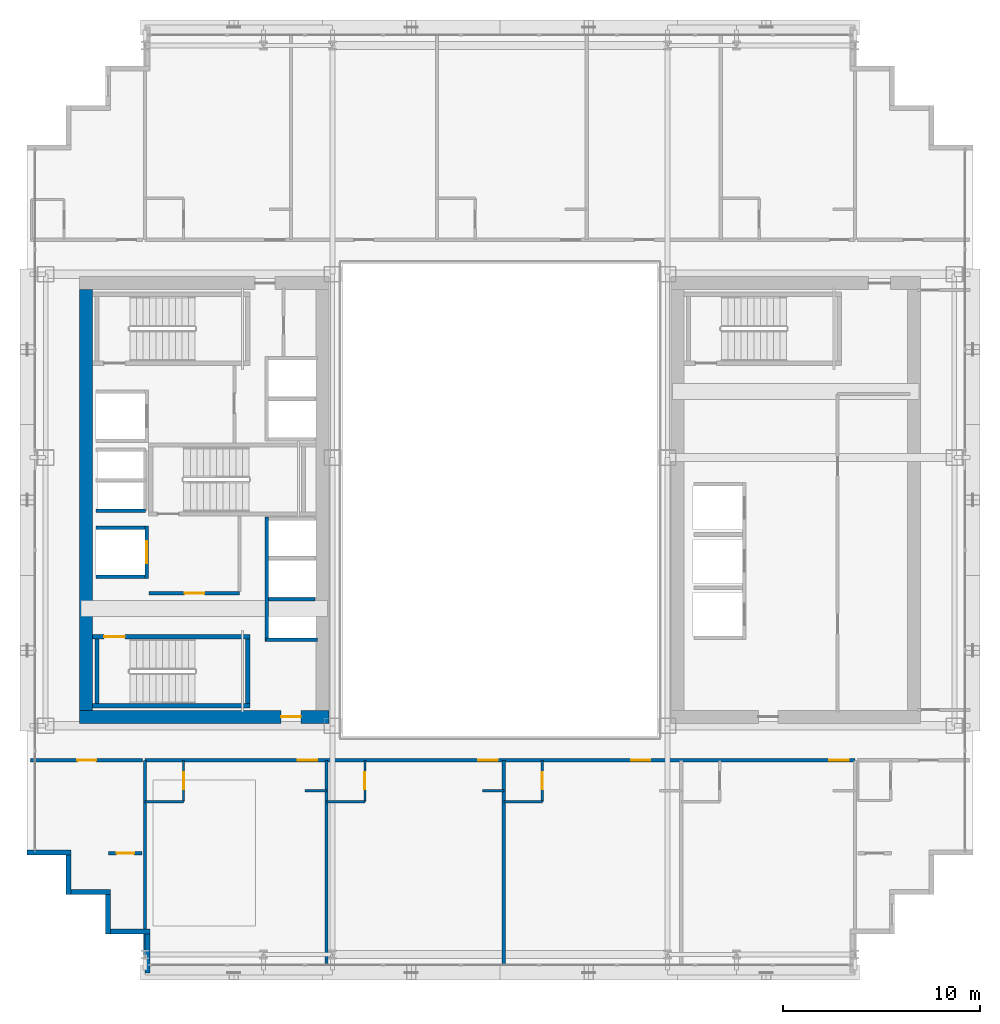
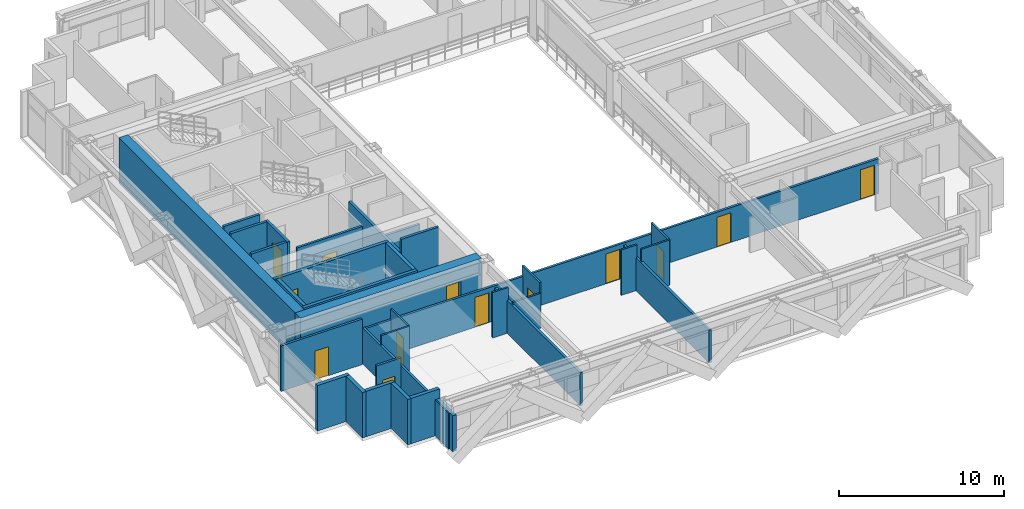
# One storey, part 27 of 34: 34 walls, 13 doors, 13 openings.
"""IFC4 building model written with IfcOpenShell, lengths in metres."""

from ifc_helpers import new_model, si_unit, direction, frame, frame_2d, origin, place, context, subcontext, project, spatial, rectangle, extrude, source, transform, mapped, material, layer, layer_set, type_object, element, fill, save


model = new_model("IFC4")

# Units and contexts
model_context = context("Model", 3, precision=1e-05, world=origin(), true_north=direction((0.0, 1.0)))
body_context = subcontext(model_context, "Body", "Model", "MODEL_VIEW")
ifc_project = project(units=[si_unit("LENGTHUNIT", "METRE"), si_unit("AREAUNIT", "SQUARE_METRE"), si_unit("VOLUMEUNIT", "CUBIC_METRE"), si_unit("PLANEANGLEUNIT", "RADIAN"), si_unit("MASSUNIT", "GRAM", prefix="KILO")], contexts=[model_context])

# Site, building, storey
site_placement = place(None, origin())
site = spatial("IfcSite", under=ifc_project, at=site_placement, CompositionType="ELEMENT")
building_placement = place(site_placement, origin())
building = spatial("IfcBuilding", under=site, at=building_placement, Name="Ocotamira Hotel", CompositionType="ELEMENT")
storey_placement = place(building_placement, frame((0.0, 0.0, 111.60009765625)))
storey = spatial("IfcBuildingStorey", under=building, at=storey_placement, Name="L27", CompositionType="ELEMENT", Elevation=111.60009765625)

# Wall, opening, door
ifc_material_1 = material(Name="Concrete C60/75", Category="concrete")
ifc_layer_1 = layer(ifc_material_1, 0.64990234375)
ifc_layer_set_1 = layer_set([ifc_layer_1], Name="Concrete C60/75")
wall_type_1 = type_object("IfcWallType", Name="WL-CORE-650", PredefinedType="SHEAR", material=ifc_layer_set_1)
wall_1_placement = place(storey_placement, frame((10.675048828125, 15.0, 0.0), z_axis=(0.0, 0.0, 1.0), x_axis=(1.0, 0.0, 0.0)))
wall_1 = element("IfcWall", 1, at=wall_1_placement, inside=storey, type_object=wall_type_1, Name="L27 Shear Core Wall WCORE-S", PredefinedType="SHEAR", context=body_context, shape_type="SweptSolid", body=[
    extrude(rectangle(XDim=12.64990234375, YDim=0.64990234375, at=frame_2d((6.324951171875, 0.0))), origin(), (0.0, 0.0, 1.0), 3.35986328125),
])
opening_1_placement = place(wall_1_placement, frame((10.22509765625, 0.0, 0.0)))
opening_1 = element("IfcOpeningElement", 2, at=opening_1_placement, cuts=wall_1, Name="Opening D-FR2", PredefinedType="OPENING", context=body_context, shape_type="SweptSolid", body=[
    extrude(rectangle(XDim=1.0, YDim=2.14990234375, at=frame_2d((0.5, 1.074951171875))), frame((0.0, 0.3349609375, 0.0), z_axis=(0.0, -1.0, 0.0), x_axis=(1.0, 0.0, 0.0)), (0.0, 0.0, 1.0), 0.669921875),
])
ifc_material_2 = material(Name="Fire-rated acoustic timber-veneer door", Category="wood")
door_type_1 = type_object("IfcDoorType", Name="DR-FIRE-1000", OperationType="NOTDEFINED", PredefinedType="DOOR", material=ifc_material_2)
shared_shape_1 = source(origin(), body_context, "Body", "SweptSolid", [
    extrude(rectangle(XDim=1.0, YDim=2.14990234375, at=frame_2d((0.5, 1.074951171875))), frame((0.0, 0.02490234375, 0.0), z_axis=(0.0, -1.0, 0.0), x_axis=(1.0, 0.0, 0.0)), (0.0, 0.0, 1.0), 0.050048828125),
])
door_1_placement = place(opening_1_placement, origin())
door_1 = element("IfcDoor", 3, at=door_1_placement, inside=storey, type_object=door_type_1, Name="L27 Door ID-L27-WLOB-S-D [ID-L27-WLOB-S-D]", OperationType="SINGLE_SWING_LEFT", OverallHeight=2.14990234375, OverallWidth=1.0, PredefinedType="DOOR", context=body_context, shape_type="MappedRepresentation", body=[
    mapped(shared_shape_1, transform((0.0, 0.0, 0.0), scale=1.0)),
])
fill(opening_1, door_1)

# Walls
wall_2_placement = place(storey_placement, frame((11.0, 15.324951171875, 0.0), z_axis=(0.0, 0.0, 1.0), x_axis=(0.0, 1.0, 0.0)))
element("IfcWall", 4, at=wall_2_placement, inside=storey, type_object=wall_type_1, Name="L27 Shear Core Wall WCORE-W", PredefinedType="SHEAR", context=body_context, shape_type="SweptSolid", body=[
    extrude(rectangle(XDim=21.35009765625, YDim=0.64990234375, at=frame_2d((10.675048828125, 0.0))), origin(), (0.0, 0.0, 1.0), 3.35986328125),
])
ifc_material_3 = material(Name="Precast concrete C45/55", Category="concrete")
ifc_layer_2 = layer(ifc_material_3, 0.25)
ifc_layer_set_2 = layer_set([ifc_layer_2], Name="Precast concrete C45/55")
wall_type_2 = type_object("IfcWallType", Name="WL-EXT-SER-250", PredefinedType="SOLIDWALL", material=ifc_layer_set_2)
wall_3_placement = place(storey_placement, frame((8.0, 8.125, 0.0), z_axis=(0.0, 0.0, 1.0), x_axis=(1.0, 0.0, 0.0)))
element("IfcWall", 5, at=wall_3_placement, inside=storey, type_object=wall_type_2, Name="L27 Serrated Corner Wall 19", PredefinedType="SOLIDWALL", context=body_context, shape_type="SweptSolid", body=[
    extrude(rectangle(XDim=2.25, YDim=0.25, at=frame_2d((1.125, 0.0))), origin(), (0.0, 0.0, 1.0), 3.35986328125),
])
for number, where, z_axis, x_axis, name in (
    (6, (10.125, 8.0, 0.0), (0.0, 0.0, 1.0), (0.0, -1.0, 0.0), "L27 Serrated Corner Wall 20"),
    (7, (10.25, 6.125, 0.0), (0.0, 0.0, 1.0), (1.0, 0.0, 0.0), "L27 Serrated Corner Wall 21"),
    (8, (12.125, 6.0, 0.0), (0.0, 0.0, 1.0), (0.0, -1.0, 0.0), "L27 Serrated Corner Wall 22"),
    (9, (12.25, 4.125, 0.0), (0.0, 0.0, 1.0), (1.0, 0.0, 0.0), "L27 Serrated Corner Wall 23"),
):
    element("IfcWall", number, at=place(storey_placement, frame(where, z_axis=z_axis, x_axis=x_axis)), inside=storey, type_object=wall_type_2, Name=name, PredefinedType="SOLIDWALL", context=body_context, shape_type="SweptSolid", body=[
        extrude(rectangle(XDim=2.0, YDim=0.25, at=frame_2d((1.0, 0.0))), origin(), (0.0, 0.0, 1.0), 3.35986328125),
    ])
wall_4_placement = place(storey_placement, frame((14.125, 4.0, 0.0), z_axis=(0.0, 0.0, 1.0), x_axis=(0.0, -1.0, 0.0)))
element("IfcWall", 10, at=wall_4_placement, inside=storey, type_object=wall_type_2, Name="L27 Serrated Corner Wall 24", PredefinedType="SOLIDWALL", context=body_context, shape_type="SweptSolid", body=[
    extrude(rectangle(XDim=2.0, YDim=0.25, at=frame_2d((1.0, 0.0))), origin(), (0.0, 0.0, 1.0), 2.6669921875),
])

# Wall, opening, door
ifc_material_4 = material(Name="Acoustic double-layer fire gypsum board partition", Category="gypsum")
ifc_layer_3 = layer(ifc_material_4, 0.159912109375)
ifc_layer_set_3 = layer_set([ifc_layer_3], Name="Acoustic double-layer fire gypsum board partition")
wall_type_3 = type_object("IfcWallType", Name="WL-FIRE-160", PredefinedType="PARTITIONING", material=ifc_layer_set_3)
wall_5_placement = place(storey_placement, frame((14.199951171875, 21.27001953125, 0.0), z_axis=(0.0, 0.0, 1.0), x_axis=(1.0, 0.0, 0.0)))
wall_5 = element("IfcWall", 11, at=wall_5_placement, inside=storey, type_object=wall_type_3, Name="L27 Interior Wall PW-L27-FSAE1-S", PredefinedType="PARTITIONING", context=body_context, shape_type="SweptSolid", body=[
    extrude(rectangle(XDim=4.580078125, YDim=0.159912109375, at=frame_2d((2.2900390625, 0.0))), origin(), (0.0, 0.0, 1.0), 3.35986328125),
])
opening_2_placement = place(wall_5_placement, frame((1.800048828125, 0.0, 0.0)))
opening_2 = element("IfcOpeningElement", 12, at=opening_2_placement, cuts=wall_5, Name="Opening D-FR2", PredefinedType="OPENING", context=body_context, shape_type="SweptSolid", body=[
    extrude(rectangle(XDim=1.0, YDim=2.14990234375, at=frame_2d((0.5, 1.074951171875))), frame((0.0, 0.08984375, 0.0), z_axis=(0.0, -1.0, 0.0), x_axis=(1.0, 0.0, 0.0)), (0.0, 0.0, 1.0), 0.179931640625),
])
door_2_placement = place(opening_2_placement, origin())
door_2 = element("IfcDoor", 13, at=door_2_placement, inside=storey, type_object=door_type_1, Name="L27 Door ID-L27-FSAE1-D [ID-L27-FSAE1-D]", OperationType="SINGLE_SWING_LEFT", OverallHeight=2.14990234375, OverallWidth=1.0, PredefinedType="DOOR", context=body_context, shape_type="MappedRepresentation", body=[
    mapped(shared_shape_1, transform((0.0, 0.0, 0.0), scale=1.0)),
])
fill(opening_2, door_2)

wall_6_placement = place(storey_placement, frame((8.199951171875, 12.800048828125, 0.0), z_axis=(0.0, 0.0, 1.0), x_axis=(1.0, 0.0, 0.0)))
wall_6 = element("IfcWall", 14, at=wall_6_placement, inside=storey, type_object=wall_type_3, Name="L27 Interior Wall PW-L27-Z2B-CSW-CW", PredefinedType="PARTITIONING", context=body_context, shape_type="SweptSolid", body=[
    extrude(rectangle(XDim=5.679931640625, YDim=0.159912109375, at=frame_2d((2.83984375, 0.0))), origin(), (0.0, 0.0, 1.0), 3.35986328125),
])
opening_3_placement = place(wall_6_placement, frame((2.360107421875, 0.0, 0.0)))
opening_3 = element("IfcOpeningElement", 15, at=opening_3_placement, cuts=wall_6, Name="Opening D-SV4", PredefinedType="OPENING", context=body_context, shape_type="SweptSolid", body=[
    extrude(rectangle(XDim=0.9599609375, YDim=2.14990234375, at=frame_2d((0.47998046875, 1.074951171875))), frame((0.0, 0.08984375, 0.0), z_axis=(0.0, -1.0, 0.0), x_axis=(1.0, 0.0, 0.0)), (0.0, 0.0, 1.0), 0.179931640625),
])
ifc_material_5 = material(Name="Fire-rated accessible walnut salon door", Category="wood")
door_type_2 = type_object("IfcDoorType", Name="DR-SERV-960", OperationType="NOTDEFINED", PredefinedType="DOOR", material=ifc_material_5)
shared_shape_2 = source(origin(), body_context, "Body", "SweptSolid", [
    extrude(rectangle(XDim=0.9599609375, YDim=2.14990234375, at=frame_2d((0.47998046875, 1.074951171875))), frame((0.0, 0.02490234375, 0.0), z_axis=(0.0, -1.0, 0.0), x_axis=(1.0, 0.0, 0.0)), (0.0, 0.0, 1.0), 0.050048828125),
])
door_3_placement = place(opening_3_placement, origin())
door_3 = element("IfcDoor", 16, at=door_3_placement, inside=storey, type_object=door_type_2, Name="L27 Door ID-L27-Z2B-CSW-CD [ID-L27-Z2B-CSW-CD]", OperationType="SINGLE_SWING_LEFT", OverallHeight=2.14990234375, OverallWidth=0.9599609375, PredefinedType="DOOR", context=body_context, shape_type="MappedRepresentation", body=[
    mapped(shared_shape_2, transform((0.0, 0.0, 0.0), scale=1.0)),
])
fill(opening_3, door_3)

wall_7_placement = place(storey_placement, frame((12.14990234375, 8.080078125, 0.0), z_axis=(0.0, 0.0, 1.0), x_axis=(1.0, 0.0, 0.0)))
wall_7 = element("IfcWall", 17, at=wall_7_placement, inside=storey, type_object=wall_type_3, Name="L27 Interior Wall PW-L27-Z2B-CSW2-CW", PredefinedType="PARTITIONING", context=body_context, shape_type="SweptSolid", body=[
    extrude(rectangle(XDim=1.7001953125, YDim=0.159912109375, at=frame_2d((0.85009765625, 0.0))), origin(), (0.0, 0.0, 1.0), 3.35986328125),
])
opening_4_placement = place(wall_7_placement, frame((0.409912109375, 0.0, 0.0)))
opening_4 = element("IfcOpeningElement", 18, at=opening_4_placement, cuts=wall_7, Name="Opening D-SV2", PredefinedType="OPENING", context=body_context, shape_type="SweptSolid", body=[
    extrude(rectangle(XDim=0.8798828125, YDim=2.14990234375, at=frame_2d((0.43994140625, 1.074951171875))), frame((0.0, 0.08984375, 0.0), z_axis=(0.0, -1.0, 0.0), x_axis=(1.0, 0.0, 0.0)), (0.0, 0.0, 1.0), 0.179931640625),
])
ifc_material_6 = material(Name="Fire-rated painted steel service door", Category="steel")
door_type_3 = type_object("IfcDoorType", Name="DR-SERV-880", OperationType="NOTDEFINED", PredefinedType="DOOR", material=ifc_material_6)
shared_shape_3 = source(origin(), body_context, "Body", "SweptSolid", [
    extrude(rectangle(XDim=0.8798828125, YDim=2.14990234375, at=frame_2d((0.43994140625, 1.074951171875))), frame((0.0, 0.02490234375, 0.0), z_axis=(0.0, -1.0, 0.0), x_axis=(1.0, 0.0, 0.0)), (0.0, 0.0, 1.0), 0.050048828125),
])
door_4_placement = place(opening_4_placement, origin())
door_4 = element("IfcDoor", 19, at=door_4_placement, inside=storey, type_object=door_type_3, Name="L27 Door ID-L27-Z2B-CSW2-CD [ID-L27-Z2B-CSW2-CD]", OperationType="SINGLE_SWING_LEFT", OverallHeight=2.14990234375, OverallWidth=0.8798828125, PredefinedType="DOOR", context=body_context, shape_type="MappedRepresentation", body=[
    mapped(shared_shape_3, transform((0.0, 0.0, 0.0), scale=1.0)),
])
fill(opening_4, door_4)

# Wall, openings, doors
wall_8_placement = place(storey_placement, frame((14.0, 12.800048828125, 0.0), z_axis=(0.0, 0.0, 1.0), x_axis=(1.0, 0.0, 0.0)))
wall_8 = element("IfcWall", 20, at=wall_8_placement, inside=storey, type_object=wall_type_3, Name="L27 Interior Wall PW-L27-Z2BS-CORRW", PredefinedType="PARTITIONING", context=body_context, shape_type="SweptSolid", body=[
    extrude(rectangle(XDim=36.0, YDim=0.159912109375, at=frame_2d((18.0, 0.0))), origin(), (0.0, 0.0, 1.0), 2.580810546875),
])
opening_5_placement = place(wall_8_placement, frame((7.75, 0.0, 0.0)))
opening_5 = element("IfcOpeningElement", 21, at=opening_5_placement, cuts=wall_8, Name="Opening D-GR2", PredefinedType="OPENING", context=body_context, shape_type="SweptSolid", body=[
    extrude(rectangle(XDim=0.97998046875, YDim=2.199951171875, at=frame_2d((0.489990234375, 1.10009765625))), frame((0.0, 0.08984375, 0.0), z_axis=(0.0, -1.0, 0.0), x_axis=(1.0, 0.0, 0.0)), (0.0, 0.0, 1.0), 0.179931640625),
])
opening_6_placement = place(wall_8_placement, frame((16.89990234375, 0.0, 0.0)))
opening_6 = element("IfcOpeningElement", 22, at=opening_6_placement, cuts=wall_8, Name="Opening D-GR2", PredefinedType="OPENING", context=body_context, shape_type="SweptSolid", body=[
    extrude(rectangle(XDim=0.97998046875, YDim=2.199951171875, at=frame_2d((0.489990234375, 1.10009765625))), frame((0.0, 0.08984375, 0.0), z_axis=(0.0, -1.0, 0.0), x_axis=(1.0, 0.0, 0.0)), (0.0, 0.0, 1.0), 0.179931640625),
])
opening_7_placement = place(wall_8_placement, frame((24.64990234375, 0.0, 0.0)))
opening_7 = element("IfcOpeningElement", 23, at=opening_7_placement, cuts=wall_8, Name="Opening D-GR2", PredefinedType="OPENING", context=body_context, shape_type="SweptSolid", body=[
    extrude(rectangle(XDim=0.97998046875, YDim=2.199951171875, at=frame_2d((0.489990234375, 1.10009765625))), frame((0.0, 0.08984375, 0.0), z_axis=(0.0, -1.0, 0.0), x_axis=(1.0, 0.0, 0.0)), (0.0, 0.0, 1.0), 0.179931640625),
])
opening_8_placement = place(wall_8_placement, frame((34.699951171875, 0.0, 0.0)))
opening_8 = element("IfcOpeningElement", 24, at=opening_8_placement, cuts=wall_8, Name="Opening D-GR2", PredefinedType="OPENING", context=body_context, shape_type="SweptSolid", body=[
    extrude(rectangle(XDim=0.97998046875, YDim=2.199951171875, at=frame_2d((0.489990234375, 1.10009765625))), frame((0.0, 0.08984375, 0.0), z_axis=(0.0, -1.0, 0.0), x_axis=(1.0, 0.0, 0.0)), (0.0, 0.0, 1.0), 0.179931640625),
])
ifc_material_7 = material(Name="Solid-core walnut grand-suite entrance fire door", Category="wood")
door_type_4 = type_object("IfcDoorType", Name="DR-GUEST-980", OperationType="NOTDEFINED", PredefinedType="DOOR", material=ifc_material_7)
shared_shape_4 = source(origin(), body_context, "Body", "SweptSolid", [
    extrude(rectangle(XDim=0.97998046875, YDim=2.199951171875, at=frame_2d((0.489990234375, 1.10009765625))), frame((0.0, 0.02490234375, 0.0), z_axis=(0.0, -1.0, 0.0), x_axis=(1.0, 0.0, 0.0)), (0.0, 0.0, 1.0), 0.050048828125),
])
door_5_placement = place(opening_5_placement, origin())
door_5 = element("IfcDoor", 25, at=door_5_placement, inside=storey, type_object=door_type_4, Name="L27 Door ID-L27-Z2BS-RMD1 [ID-L27-Z2BS-RMD1]", OperationType="SINGLE_SWING_LEFT", OverallHeight=2.199951171875, OverallWidth=0.97998046875, PredefinedType="DOOR", context=body_context, shape_type="MappedRepresentation", body=[
    mapped(shared_shape_4, transform((0.0, 0.0, 0.0), scale=1.0)),
])
fill(opening_5, door_5)
door_6_placement = place(opening_6_placement, origin())
door_6 = element("IfcDoor", 26, at=door_6_placement, inside=storey, type_object=door_type_4, Name="L27 Door ID-L27-Z2BS-RMD2 [ID-L27-Z2BS-RMD2]", OperationType="SINGLE_SWING_RIGHT", OverallHeight=2.199951171875, OverallWidth=0.97998046875, PredefinedType="DOOR", context=body_context, shape_type="MappedRepresentation", body=[
    mapped(shared_shape_4, transform((0.0, 0.0, 0.0), scale=1.0)),
])
fill(opening_6, door_6)
door_7_placement = place(opening_7_placement, origin())
door_7 = element("IfcDoor", 27, at=door_7_placement, inside=storey, type_object=door_type_4, Name="L27 Door ID-L27-Z2BS-RMD3 [ID-L27-Z2BS-RMD3]", OperationType="SINGLE_SWING_LEFT", OverallHeight=2.199951171875, OverallWidth=0.97998046875, PredefinedType="DOOR", context=body_context, shape_type="MappedRepresentation", body=[
    mapped(shared_shape_4, transform((0.0, 0.0, 0.0), scale=1.0)),
])
fill(opening_7, door_7)
door_8_placement = place(opening_8_placement, origin())
door_8 = element("IfcDoor", 28, at=door_8_placement, inside=storey, type_object=door_type_4, Name="L27 Door ID-L27-Z2BS-RMD4 [ID-L27-Z2BS-RMD4]", OperationType="SINGLE_SWING_RIGHT", OverallHeight=2.199951171875, OverallWidth=0.97998046875, PredefinedType="DOOR", context=body_context, shape_type="MappedRepresentation", body=[
    mapped(shared_shape_4, transform((0.0, 0.0, 0.0), scale=1.0)),
])
fill(opening_8, door_8)

# Wall, opening, door
ifc_material_8 = material(Name="Moisture-resistant en-suite tile and gypsum partition", Category="gypsum")
ifc_layer_4 = layer(ifc_material_8, 0.1201171875)
ifc_layer_set_4 = layer_set([ifc_layer_4], Name="Moisture-resistant en-suite tile and gypsum partition")
wall_type_4 = type_object("IfcWallType", Name="WL-PART-120", PredefinedType="PARTITIONING", material=ifc_layer_set_4)
wall_9_placement = place(storey_placement, frame((15.949951171875, 10.699951171875, 0.0), z_axis=(0.0, 0.0, 1.0), x_axis=(0.0, 1.0, 0.0)))
wall_9 = element("IfcWall", 29, at=wall_9_placement, inside=storey, type_object=wall_type_4, Name="L27 Interior Wall PW-L27-Z2BS-BAE1", PredefinedType="PARTITIONING", context=body_context, shape_type="SweptSolid", body=[
    extrude(rectangle(XDim=2.10009765625, YDim=0.1201171875, at=frame_2d((1.050048828125, 0.0))), origin(), (0.0, 0.0, 1.0), 3.35986328125),
])
opening_9_placement = place(wall_9_placement, frame((0.6201171875, 0.0, 0.0)))
opening_9 = element("IfcOpeningElement", 30, at=opening_9_placement, cuts=wall_9, Name="Opening D-BA1", PredefinedType="OPENING", context=body_context, shape_type="SweptSolid", body=[
    extrude(rectangle(XDim=0.860107421875, YDim=2.10009765625, at=frame_2d((0.43017578125, 1.050048828125))), frame((0.0, 0.070068359375, 0.0), z_axis=(0.0, -1.0, 0.0), x_axis=(1.0, 0.0, 0.0)), (0.0, 0.0, 1.0), 0.14013671875),
])
ifc_material_9 = material(Name="Moisture-sealed en-suite timber door", Category="wood")
door_type_5 = type_object("IfcDoorType", Name="DR-BATH-860", OperationType="NOTDEFINED", PredefinedType="DOOR", material=ifc_material_9)
shared_shape_5 = source(origin(), body_context, "Body", "SweptSolid", [
    extrude(rectangle(XDim=0.860107421875, YDim=2.10009765625, at=frame_2d((0.43017578125, 1.050048828125))), frame((0.0, 0.02490234375, 0.0), z_axis=(0.0, -1.0, 0.0), x_axis=(1.0, 0.0, 0.0)), (0.0, 0.0, 1.0), 0.050048828125),
])
door_9_placement = place(opening_9_placement, origin())
door_9 = element("IfcDoor", 31, at=door_9_placement, inside=storey, type_object=door_type_5, Name="L27 Door ID-L27-Z2BS-BAD1 [ID-L27-Z2BS-BAD1]", OperationType="SINGLE_SWING_RIGHT", OverallHeight=2.10009765625, OverallWidth=0.860107421875, PredefinedType="DOOR", context=body_context, shape_type="MappedRepresentation", body=[
    mapped(shared_shape_5, transform((0.0, 0.0, 0.0), scale=1.0)),
])
fill(opening_9, door_9)

# Walls
wall_10_placement = place(storey_placement, frame((14.0, 10.699951171875, 0.0), z_axis=(0.0, 0.0, 1.0), x_axis=(1.0, 0.0, 0.0)))
element("IfcWall", 32, at=wall_10_placement, inside=storey, type_object=wall_type_4, Name="L27 Interior Wall PW-L27-Z2BS-BAS1", PredefinedType="PARTITIONING", context=body_context, shape_type="SweptSolid", body=[
    extrude(rectangle(XDim=1.949951171875, YDim=0.1201171875, at=frame_2d((0.97509765625, 0.0))), origin(), (0.0, 0.0, 1.0), 3.35986328125),
])
wall_11_placement = place(storey_placement, frame((22.10009765625, 11.25, 0.0), z_axis=(0.0, 0.0, 1.0), x_axis=(1.0, 0.0, 0.0)))
element("IfcWall", 33, at=wall_11_placement, inside=storey, type_object=wall_type_4, Name="L27 Interior Wall PW-L27-Z2BS-DRN1", PredefinedType="PARTITIONING", context=body_context, shape_type="SweptSolid", body=[
    extrude(rectangle(XDim=1.099853515625, YDim=0.1201171875, at=frame_2d((0.5498046875, 0.0))), origin(), (0.0, 0.0, 1.0), 3.35986328125),
])

# Wall, opening, door
wall_12_placement = place(storey_placement, frame((25.14990234375, 10.699951171875, 0.0), z_axis=(0.0, 0.0, 1.0), x_axis=(0.0, 1.0, 0.0)))
wall_12 = element("IfcWall", 34, at=wall_12_placement, inside=storey, type_object=wall_type_4, Name="L27 Interior Wall PW-L27-Z2BS-BAE2", PredefinedType="PARTITIONING", context=body_context, shape_type="SweptSolid", body=[
    extrude(rectangle(XDim=2.10009765625, YDim=0.1201171875, at=frame_2d((1.050048828125, 0.0))), origin(), (0.0, 0.0, 1.0), 3.35986328125),
])
opening_10_placement = place(wall_12_placement, frame((0.6201171875, 0.0, 0.0)))
opening_10 = element("IfcOpeningElement", 35, at=opening_10_placement, cuts=wall_12, Name="Opening D-BA1", PredefinedType="OPENING", context=body_context, shape_type="SweptSolid", body=[
    extrude(rectangle(XDim=0.860107421875, YDim=2.10009765625, at=frame_2d((0.43017578125, 1.050048828125))), frame((0.0, 0.070068359375, 0.0), z_axis=(0.0, -1.0, 0.0), x_axis=(1.0, 0.0, 0.0)), (0.0, 0.0, 1.0), 0.14013671875),
])
door_10_placement = place(opening_10_placement, origin())
door_10 = element("IfcDoor", 36, at=door_10_placement, inside=storey, type_object=door_type_5, Name="L27 Door ID-L27-Z2BS-BAD2 [ID-L27-Z2BS-BAD2]", OperationType="SINGLE_SWING_LEFT", OverallHeight=2.10009765625, OverallWidth=0.860107421875, PredefinedType="DOOR", context=body_context, shape_type="MappedRepresentation", body=[
    mapped(shared_shape_5, transform((0.0, 0.0, 0.0), scale=1.0)),
])
fill(opening_10, door_10)

# Walls
wall_13_placement = place(storey_placement, frame((23.199951171875, 10.699951171875, 0.0), z_axis=(0.0, 0.0, 1.0), x_axis=(1.0, 0.0, 0.0)))
element("IfcWall", 37, at=wall_13_placement, inside=storey, type_object=wall_type_4, Name="L27 Interior Wall PW-L27-Z2BS-BAS2", PredefinedType="PARTITIONING", context=body_context, shape_type="SweptSolid", body=[
    extrude(rectangle(XDim=1.949951171875, YDim=0.1201171875, at=frame_2d((0.97509765625, 0.0))), origin(), (0.0, 0.0, 1.0), 2.580810546875),
])
wall_14_placement = place(storey_placement, frame((31.10009765625, 11.25, 0.0), z_axis=(0.0, 0.0, 1.0), x_axis=(1.0, 0.0, 0.0)))
element("IfcWall", 38, at=wall_14_placement, inside=storey, type_object=wall_type_4, Name="L27 Interior Wall PW-L27-Z2BS-DRN2", PredefinedType="PARTITIONING", context=body_context, shape_type="SweptSolid", body=[
    extrude(rectangle(XDim=1.099853515625, YDim=0.1201171875, at=frame_2d((0.5498046875, 0.0))), origin(), (0.0, 0.0, 1.0), 3.35986328125),
])

# Wall, opening, door
wall_15_placement = place(storey_placement, frame((34.14990234375, 10.699951171875, 0.0), z_axis=(0.0, 0.0, 1.0), x_axis=(0.0, 1.0, 0.0)))
wall_15 = element("IfcWall", 39, at=wall_15_placement, inside=storey, type_object=wall_type_4, Name="L27 Interior Wall PW-L27-Z2BS-BAE3", PredefinedType="PARTITIONING", context=body_context, shape_type="SweptSolid", body=[
    extrude(rectangle(XDim=2.10009765625, YDim=0.1201171875, at=frame_2d((1.050048828125, 0.0))), origin(), (0.0, 0.0, 1.0), 3.35986328125),
])
opening_11_placement = place(wall_15_placement, frame((0.6201171875, 0.0, 0.0)))
opening_11 = element("IfcOpeningElement", 40, at=opening_11_placement, cuts=wall_15, Name="Opening D-BA1", PredefinedType="OPENING", context=body_context, shape_type="SweptSolid", body=[
    extrude(rectangle(XDim=0.860107421875, YDim=2.10009765625, at=frame_2d((0.43017578125, 1.050048828125))), frame((0.0, 0.070068359375, 0.0), z_axis=(0.0, -1.0, 0.0), x_axis=(1.0, 0.0, 0.0)), (0.0, 0.0, 1.0), 0.14013671875),
])
door_11_placement = place(opening_11_placement, origin())
door_11 = element("IfcDoor", 41, at=door_11_placement, inside=storey, type_object=door_type_5, Name="L27 Door ID-L27-Z2BS-BAD3 [ID-L27-Z2BS-BAD3]", OperationType="SINGLE_SWING_RIGHT", OverallHeight=2.10009765625, OverallWidth=0.860107421875, PredefinedType="DOOR", context=body_context, shape_type="MappedRepresentation", body=[
    mapped(shared_shape_5, transform((0.0, 0.0, 0.0), scale=1.0)),
])
fill(opening_11, door_11)

# Walls
wall_16_placement = place(storey_placement, frame((32.199951171875, 10.699951171875, 0.0), z_axis=(0.0, 0.0, 1.0), x_axis=(1.0, 0.0, 0.0)))
element("IfcWall", 42, at=wall_16_placement, inside=storey, type_object=wall_type_4, Name="L27 Interior Wall PW-L27-Z2BS-BAS3", PredefinedType="PARTITIONING", context=body_context, shape_type="SweptSolid", body=[
    extrude(rectangle(XDim=1.949951171875, YDim=0.1201171875, at=frame_2d((0.97509765625, 0.0))), origin(), (0.0, 0.0, 1.0), 3.35986328125),
])
ifc_material_10 = material(Name="Acoustic double-stud hospitality gypsum partition", Category="gypsum")
ifc_layer_5 = layer(ifc_material_10, 0.159912109375)
ifc_layer_set_5 = layer_set([ifc_layer_5], Name="Acoustic double-stud hospitality gypsum partition")
wall_type_5 = type_object("IfcWallType", Name="WL-PART-160", PredefinedType="PARTITIONING", material=ifc_layer_set_5)
wall_17_placement = place(storey_placement, frame((14.0, 2.360107421875, 0.0), z_axis=(0.0, 0.0, 1.0), x_axis=(0.0, 1.0, 0.0)))
element("IfcWall", 43, at=wall_17_placement, inside=storey, type_object=wall_type_5, Name="L27 Interior Wall PW-L27-Z2BS-PW0", PredefinedType="PARTITIONING", context=body_context, shape_type="SweptSolid", body=[
    extrude(rectangle(XDim=10.43994140625, YDim=0.159912109375, at=frame_2d((5.219970703125, 0.0))), origin(), (0.0, 0.0, 1.0), 2.6669921875),
])
ifc_material_11 = material(Name="Double-stud suite party gypsum partition", Category="gypsum")
ifc_layer_6 = layer(ifc_material_11, 0.175048828125)
ifc_layer_set_6 = layer_set([ifc_layer_6], Name="Double-stud suite party gypsum partition")
wall_type_6 = type_object("IfcWallType", Name="WL-PART-175", PredefinedType="PARTITIONING", material=ifc_layer_set_6)
for number, where, z_axis, x_axis, name in (
    (44, (23.199951171875, 2.360107421875, 0.0), (0.0, 0.0, 1.0), (0.0, 1.0, 0.0), "L27 Interior Wall PW-L27-Z2BS-PW1"),
    (45, (32.199951171875, 2.360107421875, 0.0), (0.0, 0.0, 1.0), (0.0, 1.0, 0.0), "L27 Interior Wall PW-L27-Z2BS-PW2"),
):
    element("IfcWall", number, at=place(storey_placement, frame(where, z_axis=z_axis, x_axis=x_axis)), inside=storey, type_object=wall_type_6, Name=name, PredefinedType="PARTITIONING", context=body_context, shape_type="SweptSolid", body=[
        extrude(rectangle(XDim=10.43994140625, YDim=0.175048828125, at=frame_2d((5.219970703125, 0.0))), origin(), (0.0, 0.0, 1.0), 2.432861328125),
    ])
ifc_material_12 = material(Name="Fire-rated gypsum shaftliner board assembly", Category="gypsum")
ifc_layer_7 = layer(ifc_material_12, 0.179931640625)
ifc_layer_set_7 = layer_set([ifc_layer_7], Name="Fire-rated gypsum shaftliner board assembly")
wall_type_7 = type_object("IfcWallType", Name="WL-SHAFT-180", PredefinedType="SOLIDWALL", material=ifc_layer_set_7)
wall_18_placement = place(storey_placement, frame((20.159912109375, 18.820068359375, 0.0), z_axis=(0.0, 0.0, 1.0), x_axis=(0.0, 1.0, 0.0)))
element("IfcWall", 46, at=wall_18_placement, inside=storey, type_object=wall_type_7, Name="L27 Interior Wall PW-L27-LFW-BANK-high-F", PredefinedType="SOLIDWALL", context=body_context, shape_type="SweptSolid", body=[
    extrude(rectangle(XDim=6.31982421875, YDim=0.179931640625, at=frame_2d((3.159912109375, 0.0))), origin(), (0.0, 0.0, 1.0), 2.35986328125),
])
wall_19_placement = place(storey_placement, frame((20.1201171875, 18.909912109375, 0.0), z_axis=(0.0, 0.0, 1.0), x_axis=(1.0, 0.0, 0.0)))
element("IfcWall", 47, at=wall_19_placement, inside=storey, type_object=wall_type_7, Name="L27 Interior Wall PW-L27-LFW-BANK-high-S", PredefinedType="SOLIDWALL", context=body_context, shape_type="SweptSolid", body=[
    extrude(rectangle(XDim=2.6298828125, YDim=0.179931640625, at=frame_2d((1.31494140625, 0.0))), origin(), (0.0, 0.0, 1.0), 3.35986328125),
])
wall_20_placement = place(storey_placement, frame((20.25, 20.965087890625, 0.0), z_axis=(0.0, 0.0, 1.0), x_axis=(1.0, 0.0, 0.0)))
element("IfcWall", 48, at=wall_20_placement, inside=storey, type_object=wall_type_7, Name="L27 Interior Wall PW-L27-LFW-DIV-LF-P7", PredefinedType="SOLIDWALL", context=body_context, shape_type="SweptSolid", body=[
    extrude(rectangle(XDim=2.360107421875, YDim=0.179931640625, at=frame_2d((1.18017578125, 0.0))), origin(), (0.0, 0.0, 1.0), 2.35986328125),
])
for number, where, z_axis, x_axis, name in (
    (49, (11.5, 22.110107421875, 0.0), (0.0, 0.0, 1.0), (1.0, 0.0, 0.0), "L27 Interior Wall PW-L27-LFW-LF-FSAE1-S"),
    (50, (11.5, 24.590087890625, 0.0), (0.0, 0.0, 1.0), (1.0, 0.0, 0.0), "L27 Interior Wall PW-L27-LFW-LF-FSAE1-N"),
):
    element("IfcWall", number, at=place(storey_placement, frame(where, z_axis=z_axis, x_axis=x_axis)), inside=storey, type_object=wall_type_7, Name=name, PredefinedType="SOLIDWALL", context=body_context, shape_type="SweptSolid", body=[
        extrude(rectangle(XDim=2.5, YDim=0.179931640625, at=frame_2d((1.25, 0.0))), origin(), (0.0, 0.0, 1.0), 3.35986328125),
    ])

# Wall, opening, door
wall_21_placement = place(storey_placement, frame((14.090087890625, 22.02001953125, 0.0), z_axis=(0.0, 0.0, 1.0), x_axis=(0.0, 1.0, 0.0)))
wall_21 = element("IfcWall", 51, at=wall_21_placement, inside=storey, type_object=wall_type_7, Name="L27 Interior Wall PW-L27-LFW-LF-FSAE1-E", PredefinedType="SOLIDWALL", context=body_context, shape_type="SweptSolid", body=[
    extrude(rectangle(XDim=2.659912109375, YDim=0.179931640625, at=frame_2d((1.330078125, 0.0))), origin(), (0.0, 0.0, 1.0), 3.35986328125),
])
opening_12_placement = place(wall_21_placement, frame((0.780029296875, 0.0, 0.0)))
opening_12 = element("IfcOpeningElement", 52, at=opening_12_placement, cuts=wall_21, Name="Opening LD-LF-FSAE1", PredefinedType="OPENING", context=body_context, shape_type="SweptSolid", body=[
    extrude(rectangle(XDim=1.10009765625, YDim=2.199951171875, at=frame_2d((0.550048828125, 1.10009765625))), frame((0.0, 0.10009765625, 0.0), z_axis=(0.0, -1.0, 0.0), x_axis=(1.0, 0.0, 0.0)), (0.0, 0.0, 1.0), 0.199951171875),
])
ifc_material_13 = material(Name="Brushed pale-metal stainless elevator landing door", Category="steel")
door_type_6 = type_object("IfcDoorType", Name="DR-LIFT-1100", OperationType="NOTDEFINED", PredefinedType="DOOR", material=ifc_material_13)
shared_shape_6 = source(origin(), body_context, "Body", "SweptSolid", [
    extrude(rectangle(XDim=1.10009765625, YDim=2.199951171875, at=frame_2d((0.550048828125, 1.10009765625))), frame((0.0, 0.02490234375, 0.0), z_axis=(0.0, -1.0, 0.0), x_axis=(1.0, 0.0, 0.0)), (0.0, 0.0, 1.0), 0.050048828125),
])
door_12_placement = place(opening_12_placement, origin())
door_12 = element("IfcDoor", 53, at=door_12_placement, inside=storey, type_object=door_type_6, Name="L27 Landing Door LD-LF-FSAE1 [ID-L27-LD-LF-FSAE1]", OperationType="DOUBLE_DOOR_SLIDING", OverallHeight=2.199951171875, OverallWidth=1.10009765625, PredefinedType="DOOR", context=body_context, shape_type="MappedRepresentation", body=[
    mapped(shared_shape_6, transform((0.0, 0.0, 0.0), scale=1.0)),
])
fill(opening_12, door_12)

# Walls
wall_22_placement = place(storey_placement, frame((11.5, 25.4599609375, 0.0), z_axis=(0.0, 0.0, 1.0), x_axis=(1.0, 0.0, 0.0)))
element("IfcWall", 54, at=wall_22_placement, inside=storey, type_object=wall_type_7, Name="L27 Interior Wall PW-L27-RSW-S", PredefinedType="SOLIDWALL", context=body_context, shape_type="SweptSolid", body=[
    extrude(rectangle(XDim=2.510009765625, YDim=0.179931640625, at=frame_2d((1.2548828125, 0.0))), origin(), (0.0, 0.0, 1.0), 3.35986328125),
])
ifc_material_14 = material(Name="Concrete C50/60", Category="concrete")
ifc_layer_8 = layer(ifc_material_14, 0.219970703125)
ifc_layer_set_8 = layer_set([ifc_layer_8], Name="Concrete C50/60")
wall_type_8 = type_object("IfcWallType", Name="WL-STAIR-220", PredefinedType="SHEAR", material=ifc_layer_set_8)
wall_23_placement = place(storey_placement, frame((11.324951171875, 15.56005859375, 0.0), z_axis=(0.0, 0.0, 1.0), x_axis=(1.0, 0.0, 0.0)))
element("IfcWall", 55, at=wall_23_placement, inside=storey, type_object=wall_type_8, Name="L27 Stair Shaft Structural Wall ST-1-S", PredefinedType="SHEAR", context=body_context, shape_type="SweptSolid", body=[
    extrude(rectangle(XDim=7.985107421875, YDim=0.219970703125, at=frame_2d((3.99267578125, 0.0))), origin(), (0.0, 0.0, 1.0), 3.39990234375),
])

# Wall, opening, door
wall_24_placement = place(storey_placement, frame((11.324951171875, 19.06005859375, 0.0), z_axis=(0.0, 0.0, 1.0), x_axis=(1.0, 0.0, 0.0)))
wall_24 = element("IfcWall", 56, at=wall_24_placement, inside=storey, type_object=wall_type_8, Name="L27 Stair Shaft Structural Wall ST-1-N", PredefinedType="SHEAR", context=body_context, shape_type="SweptSolid", body=[
    extrude(rectangle(XDim=7.985107421875, YDim=0.219970703125, at=frame_2d((3.99267578125, 0.0))), origin(), (0.0, 0.0, 1.0), 3.39990234375),
])
opening_13_placement = place(wall_24_placement, frame((0.594970703125, 0.0, 0.0)))
opening_13 = element("IfcOpeningElement", 57, at=opening_13_placement, cuts=wall_24, Name="Opening D-ST2", PredefinedType="OPENING", context=body_context, shape_type="SweptSolid", body=[
    extrude(rectangle(XDim=1.050048828125, YDim=2.14990234375, at=frame_2d((0.52490234375, 1.074951171875))), frame((0.0, 0.1201171875, 0.0), z_axis=(0.0, -1.0, 0.0), x_axis=(1.0, 0.0, 0.0)), (0.0, 0.0, 1.0), 0.239990234375),
])
ifc_material_15 = material(Name="Insulated painted hollow-metal fire exit door", Category="steel")
door_type_7 = type_object("IfcDoorType", Name="DR-STAIR-1050", OperationType="NOTDEFINED", PredefinedType="DOOR", material=ifc_material_15)
shared_shape_7 = source(origin(), body_context, "Body", "SweptSolid", [
    extrude(rectangle(XDim=1.050048828125, YDim=2.14990234375, at=frame_2d((0.52490234375, 1.074951171875))), frame((0.0, 0.02490234375, 0.0), z_axis=(0.0, -1.0, 0.0), x_axis=(1.0, 0.0, 0.0)), (0.0, 0.0, 1.0), 0.050048828125),
])
door_13_placement = place(opening_13_placement, origin())
door_13 = element("IfcDoor", 58, at=door_13_placement, inside=storey, type_object=door_type_7, Name="L27 Door ID-L27-STD-ST-1 [ID-L27-STD-ST-1]", OperationType="SINGLE_SWING_RIGHT", OverallHeight=2.14990234375, OverallWidth=1.050048828125, PredefinedType="DOOR", context=body_context, shape_type="MappedRepresentation", body=[
    mapped(shared_shape_7, transform((0.0, 0.0, 0.0), scale=1.0)),
])
fill(opening_13, door_13)

# Walls
for number, where, z_axis, x_axis, name in (
    (59, (11.56005859375, 15.669921875, 0.0), (0.0, 0.0, 1.0), (0.0, 1.0, 0.0), "L27 Stair Shaft Structural Wall ST-1-W"),
    (60, (19.199951171875, 15.669921875, 0.0), (0.0, 0.0, 1.0), (0.0, 1.0, 0.0), "L27 Stair Shaft Structural Wall ST-1-E"),
):
    element("IfcWall", number, at=place(storey_placement, frame(where, z_axis=z_axis, x_axis=x_axis)), inside=storey, type_object=wall_type_8, Name=name, PredefinedType="SHEAR", context=body_context, shape_type="SweptSolid", body=[
        extrude(rectangle(XDim=3.280029296875, YDim=0.219970703125, at=frame_2d((1.64013671875, 0.0))), origin(), (0.0, 0.0, 1.0), 3.39990234375),
    ])

save(model, "model.ifc")
